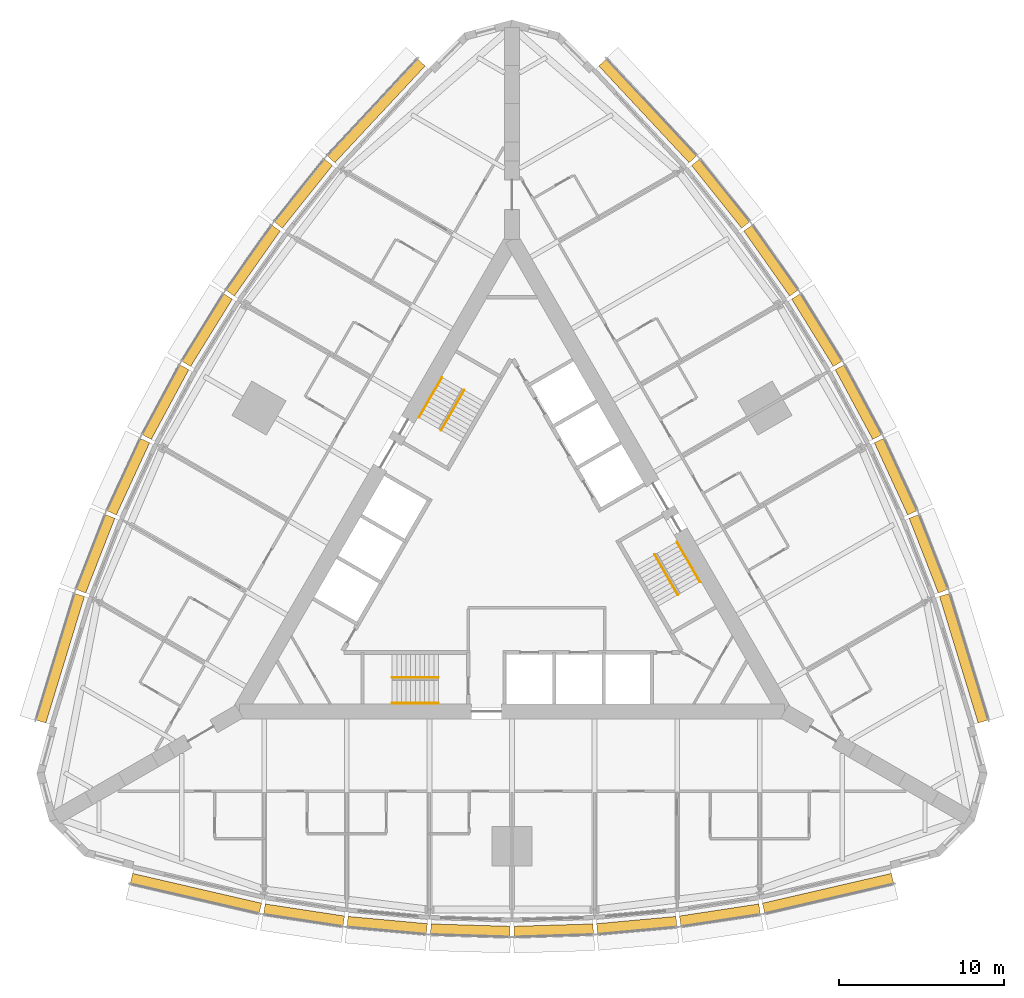
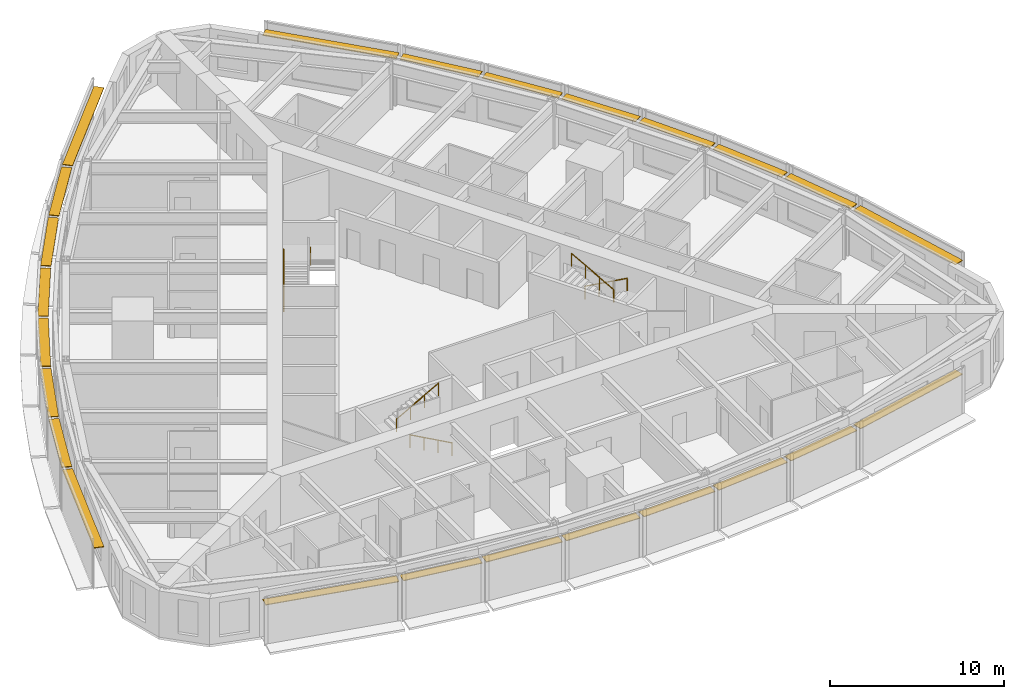
# One storey, part 14 of 14: 24 shading devices, 6 railings.
"""IFC4 building model written with IfcOpenShell, lengths in metres."""

from ifc_helpers import new_model, si_unit, direction, frame, origin, origin_2d, place, context, subcontext, project, spatial, rectangle, circle, extrude, material, type_object, element, save


model = new_model("IFC4")

# Units and contexts
model_context = context("Model", 3, precision=1e-05, world=origin(), true_north=direction((0.0, 1.0)))
body_context = subcontext(model_context, "Body", "Model", "MODEL_VIEW")
ifc_project = project(units=[si_unit("LENGTHUNIT", "METRE"), si_unit("AREAUNIT", "SQUARE_METRE"), si_unit("VOLUMEUNIT", "CUBIC_METRE"), si_unit("PLANEANGLEUNIT", "RADIAN"), si_unit("MASSUNIT", "GRAM", prefix="KILO")], contexts=[model_context])

# Site, building, storey
site_placement = place(None, origin())
site = spatial("IfcSite", under=ifc_project, at=site_placement, CompositionType="ELEMENT")
building_placement = place(site_placement, origin())
building = spatial("IfcBuilding", under=site, at=building_placement, Name="Trikona Tower", CompositionType="ELEMENT")
storey_placement = place(building_placement, frame((0.0, 0.0, 65.89990234375)))
storey = spatial("IfcBuildingStorey", under=building, at=storey_placement, Name="L16", CompositionType="ELEMENT", Elevation=65.89990234375)

# Shading devices
ifc_material_1 = material(Name="Aluminium louvre blade, pale anodised", Category="aluminium")
shading_device_type = type_object("IfcShadingDeviceType", Name="Cavity louvre 600", PredefinedType="USERDEFINED", material=ifc_material_1)
shading_device_1_placement = place(storey_placement, frame((-19.126220703125, -20.5234375, 2.77490234375), z_axis=(0.0, 0.0, 1.0), x_axis=(0.974277718622, -0.225350675607, 0.0)))
element("IfcShadingDevice", 1, at=shading_device_1_placement, inside=storey, type_object=shading_device_type, Name="Cavity louvre L16-00", ObjectType="LOUVRE", PredefinedType="USERDEFINED", context=body_context, shape_type="SweptSolid", body=[
    extrude(rectangle(XDim=8.01123046875, YDim=0.60009765625, at=origin_2d()), origin(), (0.0, 0.0, 1.0), 0.050048828125),
])
shading_device_2_placement = place(storey_placement, frame((-12.584228515625, -21.837158203125, 2.77490234375), z_axis=(0.0, 0.0, 1.0), x_axis=(0.988617896768, -0.150448177754, 0.0)))
element("IfcShadingDevice", 2, at=shading_device_2_placement, inside=storey, type_object=shading_device_type, Name="Cavity louvre L16-01", ObjectType="LOUVRE", PredefinedType="USERDEFINED", context=body_context, shape_type="SweptSolid", body=[
    extrude(rectangle(XDim=4.857666015625, YDim=0.60009765625, at=origin_2d()), origin(), (0.0, 0.0, 1.0), 0.050048828125),
])
shading_device_3_placement = place(storey_placement, frame((-7.55078125, -22.44970703125, 2.77490234375), z_axis=(0.0, 0.0, 1.0), x_axis=(0.995858098326, -0.090921108655, 0.0)))
element("IfcShadingDevice", 3, at=shading_device_3_placement, inside=storey, type_object=shading_device_type, Name="Cavity louvre L16-02", ObjectType="LOUVRE", PredefinedType="USERDEFINED", context=body_context, shape_type="SweptSolid", body=[
    extrude(rectangle(XDim=4.82080078125, YDim=0.60009765625, at=origin_2d()), origin(), (0.0, 0.0, 1.0), 0.050048828125),
])
for number, where, z_axis, x_axis, name in (
    (4, (-2.51708984375, -22.756103515625, 2.77490234375), (0.0, 0.0, 1.0), (0.999537048889, -0.030425119525, 0.0), "Cavity louvre L16-03"),
    (5, (2.51708984375, -22.756103515625, 2.77490234375), (0.0, 0.0, 1.0), (0.999537048889, 0.030425119525, 0.0), "Cavity louvre L16-04"),
):
    element("IfcShadingDevice", number, at=place(storey_placement, frame(where, z_axis=z_axis, x_axis=x_axis)), inside=storey, type_object=shading_device_type, Name=name, ObjectType="LOUVRE", PredefinedType="USERDEFINED", context=body_context, shape_type="SweptSolid", body=[
        extrude(rectangle(XDim=4.80224609375, YDim=0.60009765625, at=origin_2d()), origin(), (0.0, 0.0, 1.0), 0.050048828125),
    ])
shading_device_4_placement = place(storey_placement, frame((7.55078125, -22.44970703125, 2.77490234375), z_axis=(0.0, 0.0, 1.0), x_axis=(0.995858098326, 0.090921108655, 0.0)))
element("IfcShadingDevice", 6, at=shading_device_4_placement, inside=storey, type_object=shading_device_type, Name="Cavity louvre L16-05", ObjectType="LOUVRE", PredefinedType="USERDEFINED", context=body_context, shape_type="SweptSolid", body=[
    extrude(rectangle(XDim=4.82080078125, YDim=0.60009765625, at=origin_2d()), origin(), (0.0, 0.0, 1.0), 0.050048828125),
])
shading_device_5_placement = place(storey_placement, frame((12.584228515625, -21.837158203125, 2.77490234375), z_axis=(0.0, 0.0, 1.0), x_axis=(0.988617896768, 0.150448177754, 0.0)))
element("IfcShadingDevice", 7, at=shading_device_5_placement, inside=storey, type_object=shading_device_type, Name="Cavity louvre L16-06", ObjectType="LOUVRE", PredefinedType="USERDEFINED", context=body_context, shape_type="SweptSolid", body=[
    extrude(rectangle(XDim=4.857666015625, YDim=0.60009765625, at=origin_2d()), origin(), (0.0, 0.0, 1.0), 0.050048828125),
])
for number, where, z_axis, x_axis, name in (
    (8, (19.126220703125, -20.5234375, 2.77490234375), (0.0, 0.0, 1.0), (0.974277718622, 0.225350675607, 0.0), "Cavity louvre L16-07"),
    (9, (27.3369140625, -6.302001953125, 2.77490234375), (0.0, 0.0, 1.0), (-0.291979449475, 0.956424592471, 0.0), "Cavity louvre L16-12"),
):
    element("IfcShadingDevice", number, at=place(storey_placement, frame(where, z_axis=z_axis, x_axis=x_axis)), inside=storey, type_object=shading_device_type, Name=name, ObjectType="LOUVRE", PredefinedType="USERDEFINED", context=body_context, shape_type="SweptSolid", body=[
        extrude(rectangle(XDim=8.01123046875, YDim=0.60009765625, at=origin_2d()), origin(), (0.0, 0.0, 1.0), 0.050048828125),
    ])
shading_device_6_placement = place(storey_placement, frame((25.20361328125, 0.020263671875, 2.77490234375), z_axis=(0.0, 0.0, 1.0), x_axis=(-0.364008876551, 0.931395478726, 0.0)))
element("IfcShadingDevice", 10, at=shading_device_6_placement, inside=storey, type_object=shading_device_type, Name="Cavity louvre L16-13", ObjectType="LOUVRE", PredefinedType="USERDEFINED", context=body_context, shape_type="SweptSolid", body=[
    extrude(rectangle(XDim=4.857666015625, YDim=0.60009765625, at=origin_2d()), origin(), (0.0, 0.0, 1.0), 0.050048828125),
])
shading_device_7_placement = place(storey_placement, frame((23.217529296875, 4.685546875, 2.77490234375), z_axis=(0.0, 0.0, 1.0), x_axis=(-0.41919381307, 0.907896771161, 0.0)))
element("IfcShadingDevice", 11, at=shading_device_7_placement, inside=storey, type_object=shading_device_type, Name="Cavity louvre L16-14", ObjectType="LOUVRE", PredefinedType="USERDEFINED", context=body_context, shape_type="SweptSolid", body=[
    extrude(rectangle(XDim=4.82080078125, YDim=0.60009765625, at=origin_2d()), origin(), (0.0, 0.0, 1.0), 0.050048828125),
])
for number, where, z_axis, x_axis, name in (
    (12, (20.966064453125, 9.1982421875, 2.77490234375), (0.0, 0.0, 1.0), (-0.473422672721, 0.880835383572, 0.0), "Cavity louvre L16-15"),
    (13, (18.448974609375, 13.557861328125, 2.77490234375), (0.0, 0.0, 1.0), (-0.526118935114, 0.85041099835, 0.0), "Cavity louvre L16-16"),
):
    element("IfcShadingDevice", number, at=place(storey_placement, frame(where, z_axis=z_axis, x_axis=x_axis)), inside=storey, type_object=shading_device_type, Name=name, ObjectType="LOUVRE", PredefinedType="USERDEFINED", context=body_context, shape_type="SweptSolid", body=[
        extrude(rectangle(XDim=4.80224609375, YDim=0.60009765625, at=origin_2d()), origin(), (0.0, 0.0, 1.0), 0.050048828125),
    ])
shading_device_8_placement = place(storey_placement, frame((15.666748046875, 17.76416015625, 2.77490234375), z_axis=(0.0, 0.0, 1.0), x_axis=(-0.576661909499, 0.816982889743, 0.0)))
element("IfcShadingDevice", 14, at=shading_device_8_placement, inside=storey, type_object=shading_device_type, Name="Cavity louvre L16-17", ObjectType="LOUVRE", PredefinedType="USERDEFINED", context=body_context, shape_type="SweptSolid", body=[
    extrude(rectangle(XDim=4.82080078125, YDim=0.60009765625, at=origin_2d()), origin(), (0.0, 0.0, 1.0), 0.050048828125),
])
shading_device_9_placement = place(storey_placement, frame((12.619384765625, 21.81689453125, 2.77490234375), z_axis=(0.0, 0.0, 1.0), x_axis=(-0.624603618277, 0.780941944087, 0.0)))
element("IfcShadingDevice", 15, at=shading_device_9_placement, inside=storey, type_object=shading_device_type, Name="Cavity louvre L16-18", ObjectType="LOUVRE", PredefinedType="USERDEFINED", context=body_context, shape_type="SweptSolid", body=[
    extrude(rectangle(XDim=4.857666015625, YDim=0.60009765625, at=origin_2d()), origin(), (0.0, 0.0, 1.0), 0.050048828125),
])
for number, where, z_axis, x_axis, name in (
    (16, (8.210693359375, 26.825439453125, 2.77490234375), (0.0, 0.0, 1.0), (-0.682298269147, 0.731073916864, 0.0), "Cavity louvre L16-19"),
    (17, (-8.210693359375, 26.825439453125, 2.77490234375), (0.0, 0.0, 1.0), (-0.682298269147, -0.731073916864, 0.0), "Cavity louvre L16-24"),
):
    element("IfcShadingDevice", number, at=place(storey_placement, frame(where, z_axis=z_axis, x_axis=x_axis)), inside=storey, type_object=shading_device_type, Name=name, ObjectType="LOUVRE", PredefinedType="USERDEFINED", context=body_context, shape_type="SweptSolid", body=[
        extrude(rectangle(XDim=8.01123046875, YDim=0.60009765625, at=origin_2d()), origin(), (0.0, 0.0, 1.0), 0.050048828125),
    ])
shading_device_10_placement = place(storey_placement, frame((-12.619384765625, 21.81689453125, 2.77490234375), z_axis=(0.0, 0.0, 1.0), x_axis=(-0.624603618277, -0.780941944087, 0.0)))
element("IfcShadingDevice", 18, at=shading_device_10_placement, inside=storey, type_object=shading_device_type, Name="Cavity louvre L16-25", ObjectType="LOUVRE", PredefinedType="USERDEFINED", context=body_context, shape_type="SweptSolid", body=[
    extrude(rectangle(XDim=4.857666015625, YDim=0.60009765625, at=origin_2d()), origin(), (0.0, 0.0, 1.0), 0.050048828125),
])
shading_device_11_placement = place(storey_placement, frame((-15.666748046875, 17.76416015625, 2.77490234375), z_axis=(0.0, 0.0, 1.0), x_axis=(-0.576661909499, -0.816982889743, 0.0)))
element("IfcShadingDevice", 19, at=shading_device_11_placement, inside=storey, type_object=shading_device_type, Name="Cavity louvre L16-26", ObjectType="LOUVRE", PredefinedType="USERDEFINED", context=body_context, shape_type="SweptSolid", body=[
    extrude(rectangle(XDim=4.82080078125, YDim=0.60009765625, at=origin_2d()), origin(), (0.0, 0.0, 1.0), 0.050048828125),
])
for number, where, z_axis, x_axis, name in (
    (20, (-18.448974609375, 13.557861328125, 2.77490234375), (0.0, 0.0, 1.0), (-0.526118935114, -0.85041099835, 0.0), "Cavity louvre L16-27"),
    (21, (-20.966064453125, 9.1982421875, 2.77490234375), (0.0, 0.0, 1.0), (-0.473422672721, -0.880835383572, 0.0), "Cavity louvre L16-28"),
):
    element("IfcShadingDevice", number, at=place(storey_placement, frame(where, z_axis=z_axis, x_axis=x_axis)), inside=storey, type_object=shading_device_type, Name=name, ObjectType="LOUVRE", PredefinedType="USERDEFINED", context=body_context, shape_type="SweptSolid", body=[
        extrude(rectangle(XDim=4.80224609375, YDim=0.60009765625, at=origin_2d()), origin(), (0.0, 0.0, 1.0), 0.050048828125),
    ])
shading_device_12_placement = place(storey_placement, frame((-23.217529296875, 4.685546875, 2.77490234375), z_axis=(0.0, 0.0, 1.0), x_axis=(-0.41919381307, -0.907896771161, 0.0)))
element("IfcShadingDevice", 22, at=shading_device_12_placement, inside=storey, type_object=shading_device_type, Name="Cavity louvre L16-29", ObjectType="LOUVRE", PredefinedType="USERDEFINED", context=body_context, shape_type="SweptSolid", body=[
    extrude(rectangle(XDim=4.82080078125, YDim=0.60009765625, at=origin_2d()), origin(), (0.0, 0.0, 1.0), 0.050048828125),
])
shading_device_13_placement = place(storey_placement, frame((-25.20361328125, 0.020263671875, 2.77490234375), z_axis=(0.0, 0.0, 1.0), x_axis=(-0.364008876551, -0.931395478726, 0.0)))
element("IfcShadingDevice", 23, at=shading_device_13_placement, inside=storey, type_object=shading_device_type, Name="Cavity louvre L16-30", ObjectType="LOUVRE", PredefinedType="USERDEFINED", context=body_context, shape_type="SweptSolid", body=[
    extrude(rectangle(XDim=4.857666015625, YDim=0.60009765625, at=origin_2d()), origin(), (0.0, 0.0, 1.0), 0.050048828125),
])
shading_device_14_placement = place(storey_placement, frame((-27.3369140625, -6.302001953125, 2.77490234375), z_axis=(0.0, 0.0, 1.0), x_axis=(-0.291979449475, -0.956424592471, 0.0)))
element("IfcShadingDevice", 24, at=shading_device_14_placement, inside=storey, type_object=shading_device_type, Name="Cavity louvre L16-31", ObjectType="LOUVRE", PredefinedType="USERDEFINED", context=body_context, shape_type="SweptSolid", body=[
    extrude(rectangle(XDim=8.01123046875, YDim=0.60009765625, at=origin_2d()), origin(), (0.0, 0.0, 1.0), 0.050048828125),
])

# Railings
ifc_material_2 = material(Name="Stainless steel handrail", Category="steel")
railing_type = type_object("IfcRailingType", Name="Stair handrail", PredefinedType="HANDRAIL", material=ifc_material_2)
railing_1_placement = place(storey_placement, frame((-4.449951171875, -9.016357421875, 0.154541015625)))
element("IfcRailing", 25, at=railing_1_placement, inside=storey, type_object=railing_type, Name="Stair handrail A L16 1", PredefinedType="HANDRAIL", context=body_context, shape_type="SweptSolid", body=[
    extrude(circle(Radius=0.02392578125, at=origin_2d()), frame((0.0, 0.0, 0.8759765625), z_axis=(-0.875471895205, 0.0, 0.483269035534), x_axis=(0.0, -1.0, 0.0)), (0.0, 0.0, 1.0), 3.1982421875),
    extrude(circle(Radius=0.02099609375, at=origin_2d()), origin(), (0.0, 0.0, 1.0), 0.851806640625),
    extrude(circle(Radius=0.02099609375, at=origin_2d()), frame((-0.933349609375, 0.0, 0.51513671875)), (0.0, 0.0, 1.0), 0.851806640625),
    extrude(circle(Radius=0.02099609375, at=origin_2d()), frame((-1.86669921875, 0.0, 1.030517578125)), (0.0, 0.0, 1.0), 0.851806640625),
    extrude(circle(Radius=0.02099609375, at=origin_2d()), frame((-2.800048828125, 0.0, 1.545654296875)), (0.0, 0.0, 1.0), 0.851806640625),
])
railing_2_placement = place(storey_placement, frame((-7.25, -7.46630859375, 1.8544921875)))
element("IfcRailing", 26, at=railing_2_placement, inside=storey, type_object=railing_type, Name="Stair handrail A L16 2", PredefinedType="HANDRAIL", context=body_context, shape_type="SweptSolid", body=[
    extrude(circle(Radius=0.02392578125, at=origin_2d()), frame((0.0, 0.0, 0.8759765625), z_axis=(0.875471895205, 0.0, 0.483269035534), x_axis=(0.0, 1.0, 0.0)), (0.0, 0.0, 1.0), 3.1982421875),
    extrude(circle(Radius=0.02099609375, at=origin_2d()), origin(), (0.0, 0.0, 1.0), 0.851806640625),
    extrude(circle(Radius=0.02099609375, at=origin_2d()), frame((0.933349609375, 0.0, 0.51513671875)), (0.0, 0.0, 1.0), 0.851806640625),
    extrude(circle(Radius=0.02099609375, at=origin_2d()), frame((1.86669921875, 0.0, 1.030517578125)), (0.0, 0.0, 1.0), 0.851806640625),
    extrude(circle(Radius=0.02099609375, at=origin_2d()), frame((2.800048828125, 0.0, 1.545654296875)), (0.0, 0.0, 1.0), 0.851806640625),
])
railing_3_placement = place(storey_placement, frame((9.9833984375, 0.740966796875, 0.154541015625)))
element("IfcRailing", 27, at=railing_3_placement, inside=storey, type_object=railing_type, Name="Stair handrail B L16 1", PredefinedType="HANDRAIL", context=body_context, shape_type="SweptSolid", body=[
    extrude(circle(Radius=0.02392578125, at=origin_2d()), frame((0.0, 0.0, 0.8759765625), z_axis=(0.437691042731, -0.758211567396, 0.483261596012), x_axis=(0.866056369097, 0.49994636267, 0.0)), (0.0, 0.0, 1.0), 3.198486328125),
    extrude(circle(Radius=0.02099609375, at=origin_2d()), origin(), (0.0, 0.0, 1.0), 0.851806640625),
    extrude(circle(Radius=0.02099609375, at=origin_2d()), frame((0.466552734375, -0.808349609375, 0.51513671875)), (0.0, 0.0, 1.0), 0.851806640625),
    extrude(circle(Radius=0.02099609375, at=origin_2d()), frame((0.933349609375, -1.61669921875, 1.030517578125)), (0.0, 0.0, 1.0), 0.851806640625),
    extrude(circle(Radius=0.02099609375, at=origin_2d()), frame((1.39990234375, -2.425048828125, 1.545654296875)), (0.0, 0.0, 1.0), 0.851806640625),
])
railing_4_placement = place(storey_placement, frame((10.041015625, -2.458984375, 1.8544921875)))
element("IfcRailing", 28, at=railing_4_placement, inside=storey, type_object=railing_type, Name="Stair handrail B L16 2", PredefinedType="HANDRAIL", context=body_context, shape_type="SweptSolid", body=[
    extrude(circle(Radius=0.02392578125, at=origin_2d()), frame((0.0, 0.0, 0.8759765625), z_axis=(-0.437691042731, 0.758211567396, 0.483261596012), x_axis=(-0.866056369097, -0.49994636267, 0.0)), (0.0, 0.0, 1.0), 3.198486328125),
    extrude(circle(Radius=0.02099609375, at=origin_2d()), origin(), (0.0, 0.0, 1.0), 0.851806640625),
    extrude(circle(Radius=0.02099609375, at=origin_2d()), frame((-0.466552734375, 0.808349609375, 0.51513671875)), (0.0, 0.0, 1.0), 0.851806640625),
    extrude(circle(Radius=0.02099609375, at=origin_2d()), frame((-0.933349609375, 1.61669921875, 1.030517578125)), (0.0, 0.0, 1.0), 0.851806640625),
    extrude(circle(Radius=0.02099609375, at=origin_2d()), frame((-1.39990234375, 2.425048828125, 1.545654296875)), (0.0, 0.0, 1.0), 0.851806640625),
])
railing_5_placement = place(storey_placement, frame((-5.63330078125, 8.275390625, 0.154541015625)))
element("IfcRailing", 29, at=railing_5_placement, inside=storey, type_object=railing_type, Name="Stair handrail C L16 1", PredefinedType="HANDRAIL", context=body_context, shape_type="SweptSolid", body=[
    extrude(circle(Radius=0.02392578125, at=origin_2d()), frame((0.0, 0.0, 0.8759765625), z_axis=(0.437716375571, 0.758179114435, 0.4832895664), x_axis=(-0.866034573852, 0.49998411664, 0.0)), (0.0, 0.0, 1.0), 3.1982421875),
    extrude(circle(Radius=0.02099609375, at=origin_2d()), origin(), (0.0, 0.0, 1.0), 0.851806640625),
    extrude(circle(Radius=0.02099609375, at=origin_2d()), frame((0.466552734375, 0.808349609375, 0.51513671875)), (0.0, 0.0, 1.0), 0.851806640625),
    extrude(circle(Radius=0.02099609375, at=origin_2d()), frame((0.933349609375, 1.616455078125, 1.030517578125)), (0.0, 0.0, 1.0), 0.851806640625),
    extrude(circle(Radius=0.02099609375, at=origin_2d()), frame((1.39990234375, 2.4248046875, 1.545654296875)), (0.0, 0.0, 1.0), 0.851806640625),
])
railing_6_placement = place(storey_placement, frame((-2.89111328125, 9.92529296875, 1.8544921875)))
element("IfcRailing", 30, at=railing_6_placement, inside=storey, type_object=railing_type, Name="Stair handrail C L16 2", PredefinedType="HANDRAIL", context=body_context, shape_type="SweptSolid", body=[
    extrude(circle(Radius=0.02392578125, at=origin_2d()), frame((0.0, 0.0, 0.8759765625), z_axis=(-0.437691042731, -0.758211567396, 0.483261596012), x_axis=(0.866056369097, -0.49994636267, 0.0)), (0.0, 0.0, 1.0), 3.198486328125),
    extrude(circle(Radius=0.02099609375, at=origin_2d()), origin(), (0.0, 0.0, 1.0), 0.851806640625),
    extrude(circle(Radius=0.02099609375, at=origin_2d()), frame((-0.466552734375, -0.808349609375, 0.51513671875)), (0.0, 0.0, 1.0), 0.851806640625),
    extrude(circle(Radius=0.02099609375, at=origin_2d()), frame((-0.933349609375, -1.61669921875, 1.030517578125)), (0.0, 0.0, 1.0), 0.851806640625),
    extrude(circle(Radius=0.02099609375, at=origin_2d()), frame((-1.39990234375, -2.425048828125, 1.545654296875)), (0.0, 0.0, 1.0), 0.851806640625),
])

save(model, "model.ifc")
